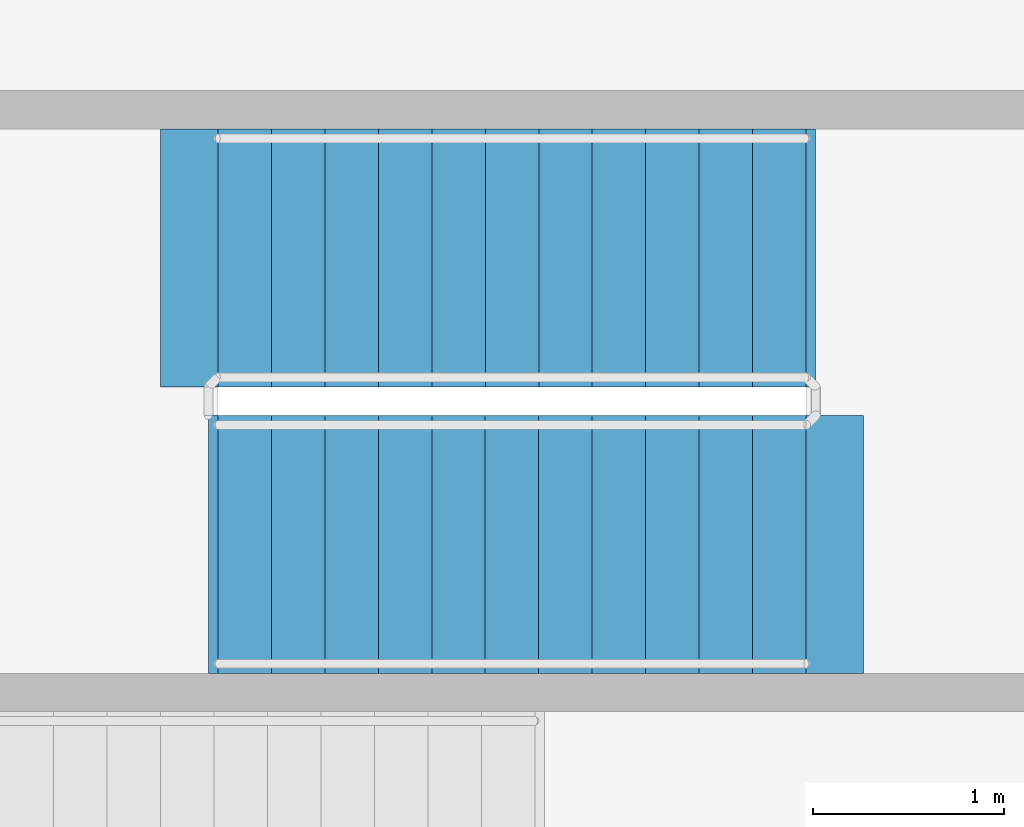
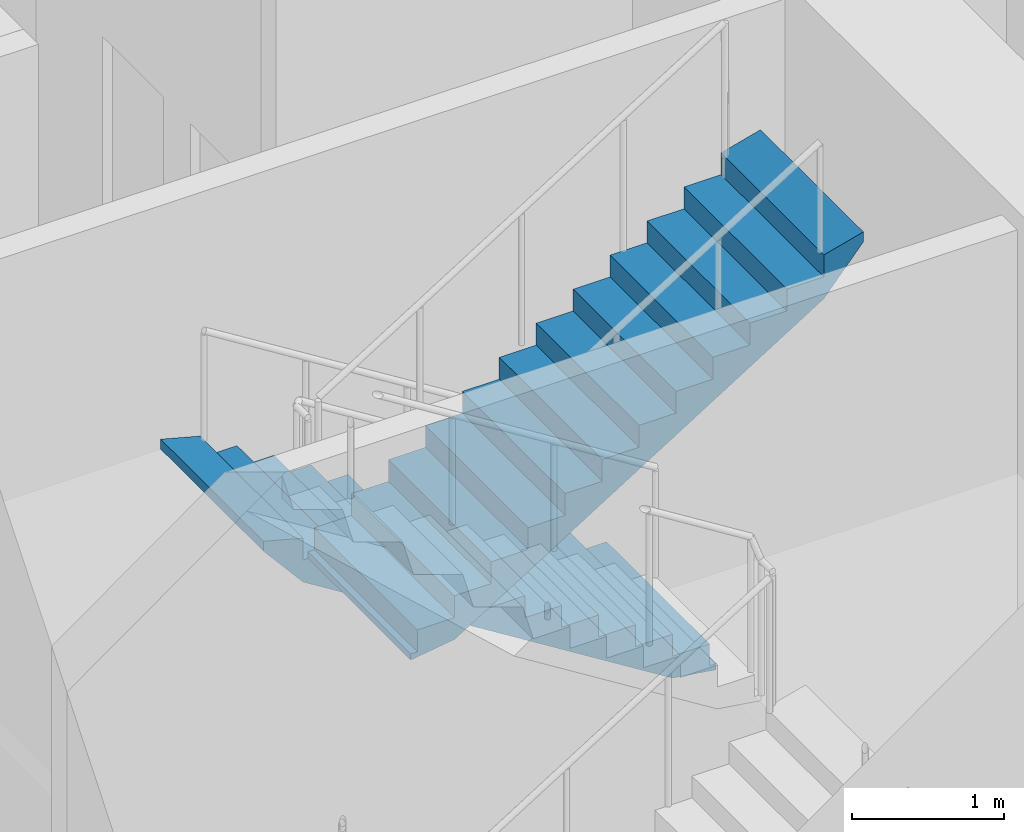
# One storey, part 19 of 23: 2 stair flights, 1 element without a shape of its own.
"""IFC4 building model written with IfcOpenShell, lengths in metres."""

from ifc_helpers import new_model, si_unit, direction, frame, origin, place, context, subcontext, project, spatial, polyline, outline, extrude, material, type_object, element, aggregate, save


model = new_model("IFC4")

# Units and contexts
model_context = context("Model", 3, precision=1e-05, world=origin(), true_north=direction((0.0, 1.0)))
body_context = subcontext(model_context, "Body", "Model", "MODEL_VIEW")
ifc_project = project(units=[si_unit("LENGTHUNIT", "METRE"), si_unit("AREAUNIT", "SQUARE_METRE"), si_unit("VOLUMEUNIT", "CUBIC_METRE"), si_unit("PLANEANGLEUNIT", "RADIAN"), si_unit("MASSUNIT", "GRAM", prefix="KILO")], contexts=[model_context])

# Site, building, storey
site_placement = place(None, origin())
site = spatial("IfcSite", under=ifc_project, at=site_placement, CompositionType="ELEMENT")
building_placement = place(site_placement, origin())
building = spatial("IfcBuilding", under=site, at=building_placement, Name="Zarbagh Exchange Tower", CompositionType="ELEMENT")
storey_placement = place(building_placement, frame((0.0, 0.0, 52.199951171875)))
storey = spatial("IfcBuildingStorey", under=building, at=storey_placement, Name="L11", CompositionType="ELEMENT", Elevation=52.199951171875)

# Stair, stair flights
ifc_material = material(Name="Concrete C40/50", Category="concrete")
stair_type = type_object("IfcStairType", Name="Exit stair two-flight half-turn", PredefinedType="HALF_TURN_STAIR", material=ifc_material)
stair_placement = place(storey_placement, origin())
stair = element("IfcStair", 1, at=stair_placement, inside=storey, type_object=stair_type, Name="exit stair ST1", PredefinedType="HALF_TURN_STAIR")
stair_flight_type = type_object("IfcStairFlightType", Name="Stair flight 1350 mm", PredefinedType="STRAIGHT", material=ifc_material)
stair_flight_1_placement = place(storey_placement, frame((2.25, 17.375, 0.0), z_axis=(0.0, 0.0, 1.0), x_axis=(-1.0, 0.0, 0.0)))
stair_flight_1 = element("IfcStairFlight", 2, at=stair_flight_1_placement, type_object=stair_flight_type, Name="ST1 flight 1", NumberOfRisers=12, NumberOfTreads=11, PredefinedType="STRAIGHT", RiserHeight=0.175, TreadLength=0.28, context=body_context, shape_type="SweptSolid", body=[
    extrude(outline(polyline([(-0.050048828125, -0.050048828125), (-0.050048828125, 0.0), (0.0, 0.0), (0.0, 0.175048828125), (0.280029296875, 0.175048828125), (0.280029296875, 0.35009765625), (0.56005859375, 0.35009765625), (0.56005859375, 0.52490234375), (0.840087890625, 0.52490234375), (0.840087890625, 0.699951171875), (1.1201171875, 0.699951171875), (1.1201171875, 0.875), (1.39990234375, 0.875), (1.39990234375, 1.050048828125), (1.679931640625, 1.050048828125), (1.679931640625, 1.22509765625), (1.9599609375, 1.22509765625), (1.9599609375, 1.39990234375), (2.239990234375, 1.39990234375), (2.239990234375, 1.574951171875), (2.52001953125, 1.574951171875), (2.52001953125, 1.75), (2.800048828125, 1.75), (2.800048828125, 1.925048828125), (3.080078125, 1.925048828125), (3.080078125, 2.10009765625), (3.3798828125, 2.179931640625), (3.3798828125, 2.10009765625), (3.080078125, 1.748291015625), (0.28271484375, 0.0), (-0.050048828125, -0.050048828125)])), frame((0.0, 0.675048828125, 0.0), z_axis=(0.0, -1.0, 0.0), x_axis=(1.0, 0.0, 0.0)), (0.0, 0.0, 1.0), 1.35009765625),
])
stair_flight_2_placement = place(storey_placement, frame((-0.830078125, 15.875, 2.10009765625), z_axis=(0.0, 0.0, 1.0), x_axis=(1.0, 0.0, 0.0)))
stair_flight_2 = element("IfcStairFlight", 3, at=stair_flight_2_placement, type_object=stair_flight_type, Name="ST1 flight 2", NumberOfRisers=12, NumberOfTreads=11, PredefinedType="STRAIGHT", RiserHeight=0.175, TreadLength=0.28, context=body_context, shape_type="SweptSolid", body=[
    extrude(outline(polyline([(-0.050048828125, -0.050048828125), (-0.050048828125, 0.0), (0.0, 0.0), (0.0, 0.175048828125), (0.280029296875, 0.175048828125), (0.280029296875, 0.35009765625), (0.56005859375, 0.35009765625), (0.56005859375, 0.52490234375), (0.840087890625, 0.52490234375), (0.840087890625, 0.699951171875), (1.1201171875, 0.699951171875), (1.1201171875, 0.875), (1.39990234375, 0.875), (1.39990234375, 1.050048828125), (1.679931640625, 1.050048828125), (1.679931640625, 1.22509765625), (1.9599609375, 1.22509765625), (1.9599609375, 1.39990234375), (2.239990234375, 1.39990234375), (2.239990234375, 1.574951171875), (2.52001953125, 1.574951171875), (2.52001953125, 1.75), (2.800048828125, 1.75), (2.800048828125, 1.925048828125), (3.080078125, 1.925048828125), (3.080078125, 2.10009765625), (3.3798828125, 2.179931640625), (3.3798828125, 2.10009765625), (3.080078125, 1.748291015625), (0.28271484375, 0.0), (-0.050048828125, -0.050048828125)])), frame((0.0, 0.675048828125, 0.0), z_axis=(0.0, -1.0, 0.0), x_axis=(1.0, 0.0, 0.0)), (0.0, 0.0, 1.0), 1.35009765625),
])
aggregate(stair, [stair_flight_1, stair_flight_2])

save(model, "model.ifc")
